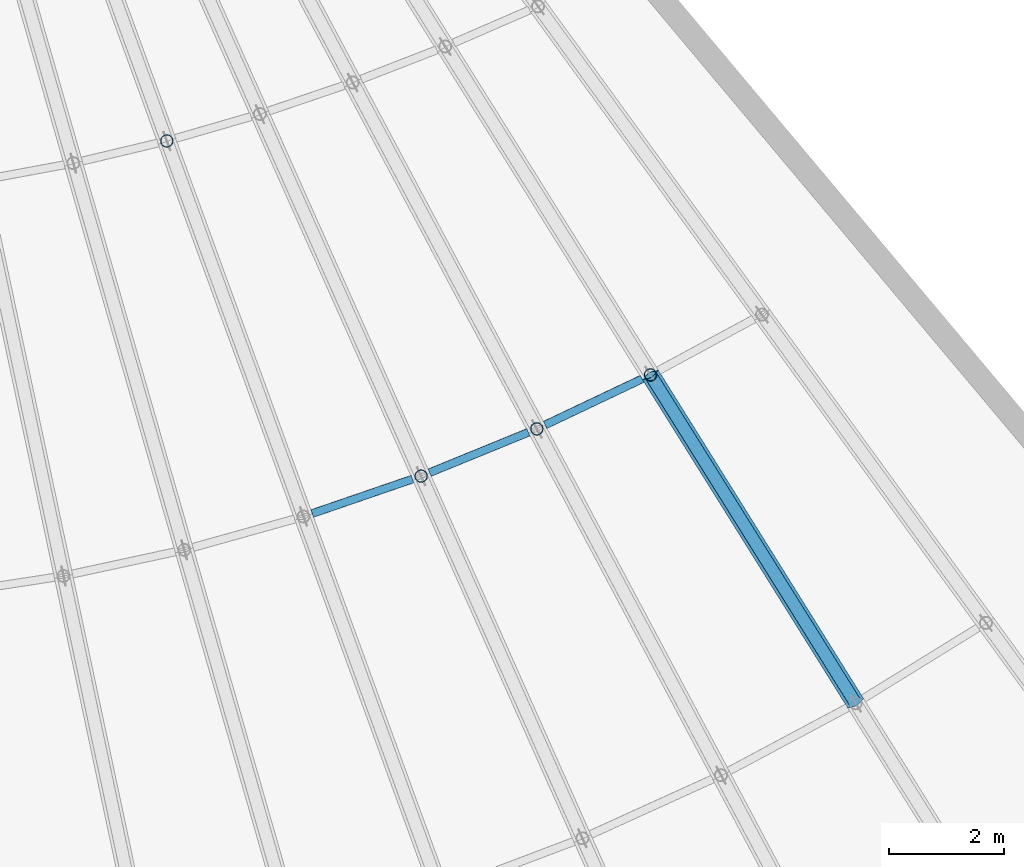
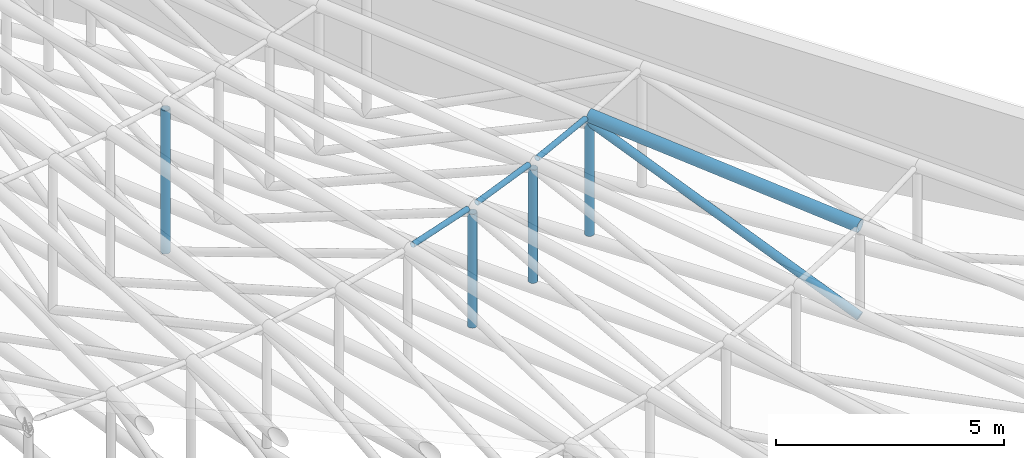
# One storey, part 39 of 163: 9 members.
"""IFC4 building model written with IfcOpenShell, lengths in metres."""

from ifc_helpers import new_model, si_unit, direction, frame, origin, origin_2d, place, context, subcontext, project, spatial, hollow_circle, extrude, material, material_profile, profile_set, type_object, element, save


model = new_model("IFC4")

# Units and contexts
model_context = context("Model", 3, precision=1e-05, world=origin(), true_north=direction((0.0, 1.0)))
body_context = subcontext(model_context, "Body", "Model", "MODEL_VIEW")
ifc_project = project(units=[si_unit("LENGTHUNIT", "METRE"), si_unit("AREAUNIT", "SQUARE_METRE"), si_unit("VOLUMEUNIT", "CUBIC_METRE"), si_unit("PLANEANGLEUNIT", "RADIAN"), si_unit("MASSUNIT", "GRAM", prefix="KILO")], contexts=[model_context])

# Site, building, storey
site_placement = place(None, origin())
site = spatial("IfcSite", under=ifc_project, at=site_placement, CompositionType="ELEMENT")
building_placement = place(site_placement, origin())
building = spatial("IfcBuilding", under=site, at=building_placement, Name="Rain Tree Exposition and Congress Centre", CompositionType="ELEMENT")
storey_placement = place(building_placement, frame((0.0, 0.0, 10.5)))
storey = spatial("IfcBuildingStorey", under=building, at=storey_placement, Name="L02", CompositionType="ELEMENT", Elevation=10.5)

# Members
ifc_material_1 = material(Name="Steel S355J2H", Category="steel")
ifc_material_profile_1 = material_profile(ifc_material_1, hollow_circle(Radius=0.108154296875, WallThickness=0.008056640625, at=origin_2d()), Name="CHS 216x8")
ifc_profile_set_1 = profile_set([ifc_material_profile_1], Name="Steel S355J2H")
member_type_1 = type_object("IfcMemberType", Name="Steel brace member CHS 216x8", PredefinedType="BRACE", material=ifc_profile_set_1)
member_1_placement = place(storey_placement, frame((221.680908203125, 35.063720703125, 0.318603515625), z_axis=(-0.483689717571, 0.774089659315, 0.408447617765), x_axis=(-0.848055572796, -0.529907298921, 0.0)))
element("IfcMember", 1, at=member_1_placement, inside=storey, type_object=member_type_1, Name="TD18-3", PredefinedType="BRACE", context=body_context, shape_type="SweptSolid", body=[
    extrude(hollow_circle(Radius=0.108154296875, WallThickness=0.008056640625, at=origin_2d()), origin(), (0.0, 0.0, 1.0), 7.34619140625),
])
ifc_material_2 = material(Name="Steel S355J2H", Category="steel")
ifc_material_profile_2 = material_profile(ifc_material_2, hollow_circle(Radius=0.1591796875, WallThickness=0.010009765625, at=origin_2d()), Name="CHS 318x10")
ifc_profile_set_2 = profile_set([ifc_material_profile_2], Name="Steel S355J2H")
member_type_2 = type_object("IfcMemberType", Name="Steel chord member CHS 318x10", PredefinedType="CHORD", material=ifc_profile_set_2)
member_2_placement = place(storey_placement, frame((221.680908203125, 35.063720703125, 2.725830078125), z_axis=(-0.526585121644, 0.842738810866, 0.111800743842), x_axis=(-0.848055572796, -0.529907298921, 0.0)))
element("IfcMember", 2, at=member_2_placement, inside=storey, type_object=member_type_2, Name="TT18-3", PredefinedType="CHORD", context=body_context, shape_type="SweptSolid", body=[
    extrude(hollow_circle(Radius=0.1591796875, WallThickness=0.010009765625, at=origin_2d()), origin(), (0.0, 0.0, 1.0), 6.74755859375),
])
ifc_material_3 = material(Name="Steel S355J2H", Category="steel")
ifc_material_profile_3 = material_profile(ifc_material_3, hollow_circle(Radius=0.108154296875, WallThickness=0.008056640625, at=origin_2d()), Name="CHS 216x8")
ifc_profile_set_3 = profile_set([ifc_material_profile_3], Name="Steel S355J2H")
member_type_3 = type_object("IfcMemberType", Name="Steel post member CHS 216x8", PredefinedType="POST", material=ifc_profile_set_3)
member_3_placement = place(storey_placement, frame((209.752197265625, 44.802001953125, 0.318603515625), z_axis=(0.0, 0.0, 1.0), x_axis=(1.0, 0.0, 0.0)))
element("IfcMember", 3, at=member_3_placement, inside=storey, type_object=member_type_3, Name="TP15-4", PredefinedType="POST", context=body_context, shape_type="SweptSolid", body=[
    extrude(hollow_circle(Radius=0.108154296875, WallThickness=0.008056640625, at=origin_2d()), origin(), (0.0, 0.0, 1.0), 3.827880859375),
])
member_4_placement = place(storey_placement, frame((214.156494140625, 38.99755859375, 0.318603515625), z_axis=(0.0, 0.0, 1.0), x_axis=(1.0, 0.0, 0.0)))
element("IfcMember", 4, at=member_4_placement, inside=storey, type_object=member_type_3, Name="TP16-3", PredefinedType="POST", context=body_context, shape_type="SweptSolid", body=[
    extrude(hollow_circle(Radius=0.108154296875, WallThickness=0.008056640625, at=origin_2d()), origin(), (0.0, 0.0, 1.0), 3.036376953125),
])
member_5_placement = place(storey_placement, frame((216.16015625, 39.81640625, 0.318603515625), z_axis=(0.0, 0.0, 1.0), x_axis=(1.0, 0.0, 0.0)))
element("IfcMember", 5, at=member_5_placement, inside=storey, type_object=member_type_3, Name="TP17-3", PredefinedType="POST", context=body_context, shape_type="SweptSolid", body=[
    extrude(hollow_circle(Radius=0.108154296875, WallThickness=0.008056640625, at=origin_2d()), origin(), (0.0, 0.0, 1.0), 3.020263671875),
])
member_6_placement = place(storey_placement, frame((218.127685546875, 40.750244140625, 0.318603515625), z_axis=(0.0, 0.0, 1.0), x_axis=(1.0, 0.0, 0.0)))
element("IfcMember", 6, at=member_6_placement, inside=storey, type_object=member_type_3, Name="TP18-3", PredefinedType="POST", context=body_context, shape_type="SweptSolid", body=[
    extrude(hollow_circle(Radius=0.108154296875, WallThickness=0.008056640625, at=origin_2d()), origin(), (0.0, 0.0, 1.0), 3.00048828125),
])
ifc_material_4 = material(Name="Steel S355J2H", Category="steel")
ifc_material_profile_4 = material_profile(ifc_material_4, hollow_circle(Radius=0.06982421875, WallThickness=0.0048828125, at=origin_2d()), Name="CHS 140x5")
ifc_profile_set_4 = profile_set([ifc_material_profile_4], Name="Steel S355J2H")
member_type_4 = type_object("IfcMemberType", Name="Steel purlin member CHS 140x5", PredefinedType="PURLIN", material=ifc_profile_set_4)
member_7_placement = place(storey_placement, frame((212.270263671875, 38.349609375, 3.52783203125), z_axis=(0.945739924151, 0.324869446445, -0.005986537711), x_axis=(-0.32487526804, 0.94575687162, 0.0)))
element("IfcMember", 7, at=member_7_placement, inside=storey, type_object=member_type_4, Name="PU15-3", PredefinedType="PURLIN", context=body_context, shape_type="SweptSolid", body=[
    extrude(hollow_circle(Radius=0.06982421875, WallThickness=0.0048828125, at=origin_2d()), origin(), (0.0, 0.0, 1.0), 1.835205078125),
])
member_8_placement = place(storey_placement, frame((214.30419921875, 39.057861328125, 3.514892578125), z_axis=(0.925652144063, 0.378303105462, -0.007407333534), x_axis=(-0.378313484368, 0.925677539722, 0.0)))
element("IfcMember", 8, at=member_8_placement, inside=storey, type_object=member_type_4, Name="PU16-3", PredefinedType="PURLIN", context=body_context, shape_type="SweptSolid", body=[
    extrude(hollow_circle(Radius=0.06982421875, WallThickness=0.0048828125, at=origin_2d()), origin(), (0.0, 0.0, 1.0), 1.845703125),
])
member_9_placement = place(storey_placement, frame((216.30419921875, 39.884521484375, 3.49853515625), z_axis=(0.903318021119, 0.428875804183, -0.009060756426), x_axis=(-0.428893410042, 0.903355103391, 0.0)))
element("IfcMember", 9, at=member_9_placement, inside=storey, type_object=member_type_4, Name="PU17-3", PredefinedType="PURLIN", context=body_context, shape_type="SweptSolid", body=[
    extrude(hollow_circle(Radius=0.06982421875, WallThickness=0.0048828125, at=origin_2d()), origin(), (0.0, 0.0, 1.0), 1.859130859375),
])

save(model, "model.ifc")
